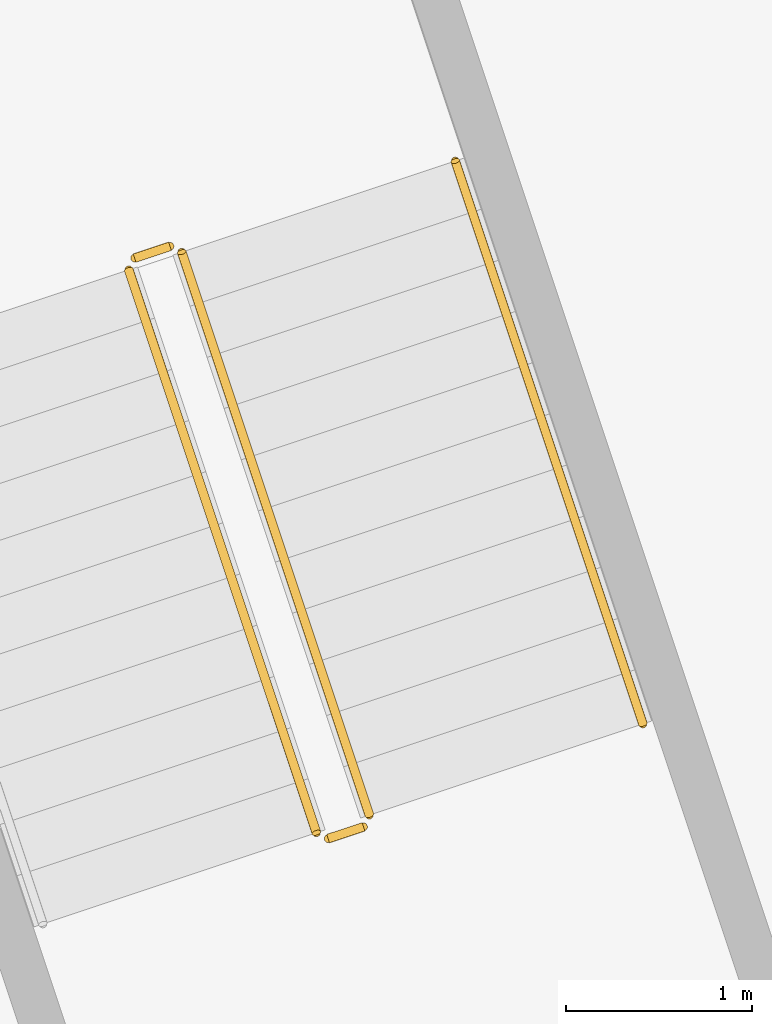
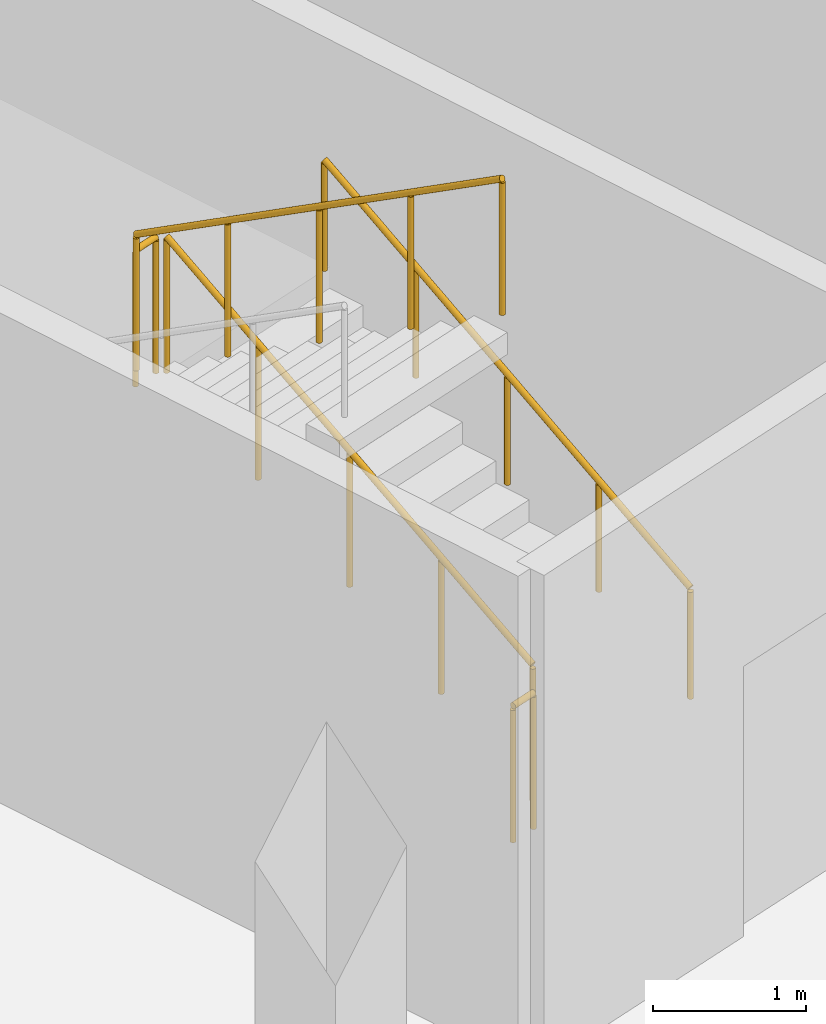
# One storey, part 33 of 36: 5 railings.
"""IFC4 building model written with IfcOpenShell, lengths in metres."""

from ifc_helpers import new_model, si_unit, derived_unit, direction, frame, origin, origin_2d, place, context, subcontext, project, spatial, circle, extrude, material, type_object, element, save


model = new_model("IFC4")

# Units and contexts
model_context = context("Model", 3, precision=1e-05, world=origin(), true_north=direction((0.0, 1.0)))
body_context = subcontext(model_context, "Body", "Model", "MODEL_VIEW")
ifc_project = project(units=[si_unit("LENGTHUNIT", "METRE"), si_unit("AREAUNIT", "SQUARE_METRE"), si_unit("VOLUMEUNIT", "CUBIC_METRE"), si_unit("PLANEANGLEUNIT", "RADIAN"), si_unit("MASSUNIT", "GRAM", prefix="KILO"), si_unit("THERMODYNAMICTEMPERATUREUNIT", "KELVIN"), si_unit("TIMEUNIT", "SECOND"), derived_unit("THERMALTRANSMITTANCEUNIT", [(si_unit("MASSUNIT", "GRAM", prefix="KILO"), 1), (si_unit("THERMODYNAMICTEMPERATUREUNIT", "KELVIN"), -1), (si_unit("TIMEUNIT", "SECOND"), -3)])], contexts=[model_context])

# Site, building, storey
site_placement = place(None, origin())
site = spatial("IfcSite", under=ifc_project, at=site_placement, CompositionType="ELEMENT")
building_placement = place(site_placement, origin())
building = spatial("IfcBuilding", under=site, at=building_placement, Name="Cambertide Market Hall", CompositionType="ELEMENT")
storey_placement = place(building_placement, frame((0.0, 0.0, -4.199951171875)))
storey = spatial("IfcBuildingStorey", under=building, at=storey_placement, Name="B1", CompositionType="ELEMENT", Elevation=-4.199951171875)

# Railings
ifc_material_1 = material(Name="Stainless Steel Grade 316", Category="metal")
railing_type_1 = type_object("IfcRailingType", Name="Stair Wall Handrail 900", PredefinedType="HANDRAIL", material=ifc_material_1)
railing_1_placement = place(storey_placement, frame((147.63134765625, 46.642822265625, 0.175048828125)))
element("IfcRailing", 1, at=railing_1_placement, inside=storey, type_object=railing_type_1, Name="Basement 1 ST-05B stair handrail 1", PredefinedType="HANDRAIL", context=body_context, shape_type="SweptSolid", body=[
    extrude(circle(Radius=0.02392578125, at=origin_2d()), frame((0.0, 0.0, 0.8759765625), z_axis=(-0.2707736675, 0.812255471603, 0.516645594039), x_axis=(-0.948675644076, -0.316250727013, 0.0)), (0.0, 0.0, 1.0), 3.7255859375),
    extrude(circle(Radius=0.02099609375, at=origin_2d()), origin(), (0.0, 0.0, 1.0), 0.851806640625),
    extrude(circle(Radius=0.02099609375, at=origin_2d()), frame((-0.252197265625, 0.756591796875, 0.481201171875)), (0.0, 0.0, 1.0), 0.851806640625),
    extrude(circle(Radius=0.02099609375, at=origin_2d()), frame((-0.50439453125, 1.51318359375, 0.96240234375)), (0.0, 0.0, 1.0), 0.851806640625),
    extrude(circle(Radius=0.02099609375, at=origin_2d()), frame((-0.756591796875, 2.26953125, 1.443603515625)), (0.0, 0.0, 1.0), 0.851806640625),
    extrude(circle(Radius=0.02099609375, at=origin_2d()), frame((-1.0087890625, 3.026123046875, 1.9248046875)), (0.0, 0.0, 1.0), 0.851806640625),
])
ifc_material_2 = material(Name="Stainless Steel Grade 316", Category="metal")
railing_type_2 = type_object("IfcRailingType", Name="Stairwell Inner Guardrail 1100", PredefinedType="GUARDRAIL", material=ifc_material_2)
railing_2_placement = place(storey_placement, frame((146.160888671875, 46.152587890625, 0.175048828125)))
element("IfcRailing", 2, at=railing_2_placement, inside=storey, type_object=railing_type_2, Name="Basement 1 ST-05B stair guard 1", PredefinedType="GUARDRAIL", context=body_context, shape_type="SweptSolid", body=[
    extrude(circle(Radius=0.02392578125, at=origin_2d()), frame((0.0, 0.0, 1.076171875), z_axis=(-0.270759255375, 0.812277766124, 0.516618095202), x_axis=(-0.948683298051, -0.316227766017, 0.0)), (0.0, 0.0, 1.0), 3.725830078125),
    extrude(circle(Radius=0.02099609375, at=origin_2d()), origin(), (0.0, 0.0, 1.0), 1.052001953125),
    extrude(circle(Radius=0.02099609375, at=origin_2d()), frame((-0.252197265625, 0.756591796875, 0.481201171875)), (0.0, 0.0, 1.0), 1.052001953125),
    extrude(circle(Radius=0.02099609375, at=origin_2d()), frame((-0.50439453125, 1.51318359375, 0.96240234375)), (0.0, 0.0, 1.0), 1.052001953125),
    extrude(circle(Radius=0.02099609375, at=origin_2d()), frame((-0.756591796875, 2.269775390625, 1.443603515625)), (0.0, 0.0, 1.0), 1.052001953125),
    extrude(circle(Radius=0.02099609375, at=origin_2d()), frame((-1.0087890625, 3.0263671875, 1.9248046875)), (0.0, 0.0, 1.0), 1.052001953125),
])
railing_3_placement = place(storey_placement, frame((145.0888671875, 49.21044921875, 2.099853515625)))
element("IfcRailing", 3, at=railing_3_placement, inside=storey, type_object=railing_type_2, Name="Basement 1 ST-05B stair guard 2", PredefinedType="GUARDRAIL", context=body_context, shape_type="SweptSolid", body=[
    extrude(circle(Radius=0.02392578125, at=origin_2d()), frame((0.0, 0.0, 1.076171875), z_axis=(-0.948683298051, -0.316227766017, 0.0), x_axis=(0.316227766017, -0.948683298051, 0.0)), (0.0, 0.0, 1.0), 0.199951171875),
    extrude(circle(Radius=0.02099609375, at=origin_2d()), origin(), (0.0, 0.0, 1.0), 1.052001953125),
    extrude(circle(Radius=0.02099609375, at=origin_2d()), frame((-0.189697265625, -0.063232421875, 0.0)), (0.0, 0.0, 1.0), 1.052001953125),
])
railing_4_placement = place(storey_placement, frame((144.86767578125, 49.083984375, 2.27490234375)))
element("IfcRailing", 4, at=railing_4_placement, inside=storey, type_object=railing_type_2, Name="Basement 1 ST-05B stair guard 3", PredefinedType="GUARDRAIL", context=body_context, shape_type="SweptSolid", body=[
    extrude(circle(Radius=0.02392578125, at=origin_2d()), frame((0.0, 0.0, 1.076171875), z_axis=(0.270689365899, -0.812264676757, 0.516675296566), x_axis=(0.948706255527, 0.316158885252, 0.0)), (0.0, 0.0, 1.0), 3.725830078125),
    extrude(circle(Radius=0.02099609375, at=origin_2d()), origin(), (0.0, 0.0, 1.0), 1.052001953125),
    extrude(circle(Radius=0.02099609375, at=origin_2d()), frame((0.252197265625, -0.756591796875, 0.481201171875)), (0.0, 0.0, 1.0), 1.052001953125),
    extrude(circle(Radius=0.02099609375, at=origin_2d()), frame((0.50439453125, -1.51318359375, 0.96240234375)), (0.0, 0.0, 1.0), 1.052001953125),
    extrude(circle(Radius=0.02099609375, at=origin_2d()), frame((0.75634765625, -2.269775390625, 1.44384765625)), (0.0, 0.0, 1.0), 1.052001953125),
    extrude(circle(Radius=0.02099609375, at=origin_2d()), frame((1.008544921875, -3.0263671875, 1.925048828125)), (0.0, 0.0, 1.0), 1.052001953125),
])
railing_5_placement = place(storey_placement, frame((146.12939453125, 46.08935546875, 0.0)))
element("IfcRailing", 5, at=railing_5_placement, inside=storey, type_object=railing_type_2, Name="Basement 1 ST-05B stair guard 4", PredefinedType="GUARDRAIL", context=body_context, shape_type="SweptSolid", body=[
    extrude(circle(Radius=0.02392578125, at=origin_2d()), frame((0.0, 0.0, 1.076171875), z_axis=(-0.948805181896, -0.31586187932, 0.0), x_axis=(0.31586187932, -0.948805181896, 0.0)), (0.0, 0.0, 1.0), 0.2001953125),
    extrude(circle(Radius=0.02099609375, at=origin_2d()), origin(), (0.0, 0.0, 1.0), 1.052001953125),
    extrude(circle(Radius=0.02099609375, at=origin_2d()), frame((-0.18994140625, -0.063232421875, 0.0)), (0.0, 0.0, 1.0), 1.052001953125),
])

save(model, "model.ifc")
